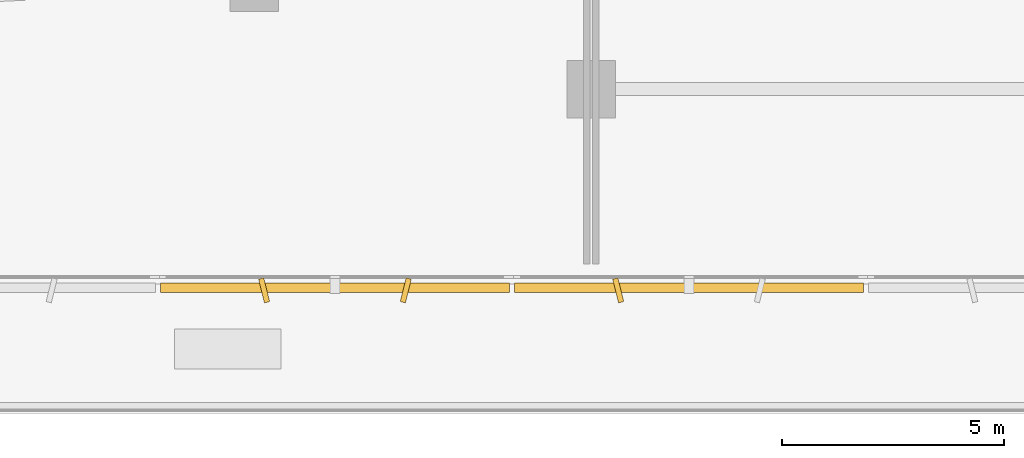
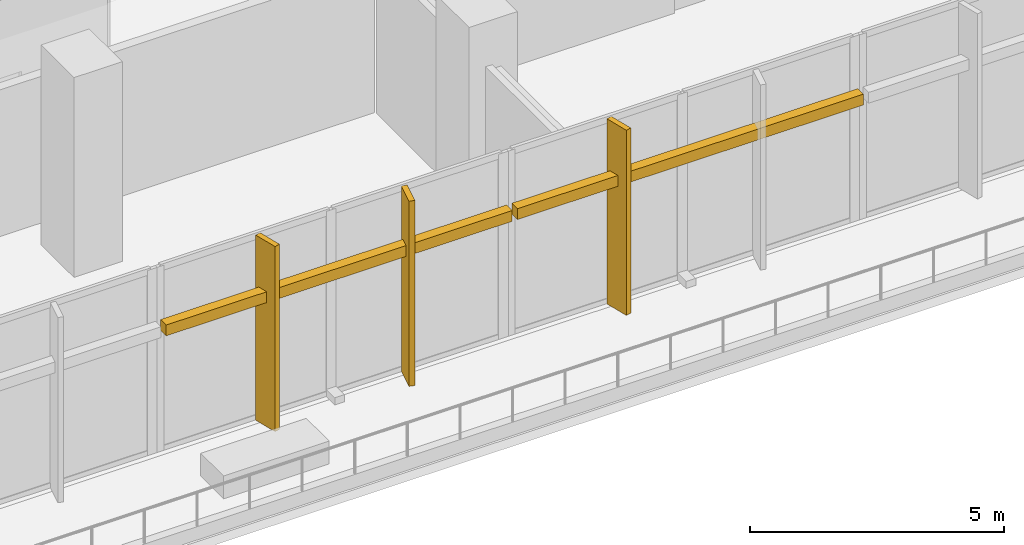
# One storey, part 21 of 30: 5 shading devices.
"""IFC4 building model written with IfcOpenShell, lengths in metres."""

import ifcopenshell
import ifcopenshell.guid

model = None  # the IFC model being written
_history = None  # IfcOwnerHistory: only IFC2X3 demands one
_inside = {}  # id of a spatial element -> (the spatial element, [elements in it])
_under = {}  # id of a project, library or spatial element -> (it, [spatial elements below it])
_declared = {}  # id of a project -> (the project, [libraries it declares])
_typed = {}  # id of a type object -> (the type object, [elements of that type])
_made_of = {}  # id of a material, layer set ... -> (it, [elements and type objects made of it])


def new_model(schema):
    """Start an empty IFC model of exactly this schema.

    Asked for "IFC4X3", IfcOpenShell would pick the latest addendum, in which some entities
    have other attributes; the version numbers below select the first issue.
    IFC2X3 requires an IfcOwnerHistory on every rooted entity: one is made here for all.
    """
    global model, _history
    if schema == "IFC4X3":
        model = ifcopenshell.file(schema_version=(4, 3, 0, 0))
    else:
        model = ifcopenshell.file(schema=schema)
    _inside.clear()
    _under.clear()
    _declared.clear()
    _typed.clear()
    _made_of.clear()
    _history = None
    if model.schema == "IFC2X3":
        org = make("IfcOrganization", Name="unknown")
        user = make(
            "IfcPersonAndOrganization",
            ThePerson=make("IfcPerson", FamilyName="unknown"),
            TheOrganization=org,
        )
        app = make(
            "IfcApplication",
            ApplicationDeveloper=org,
            Version="unknown",
            ApplicationFullName="unknown",
            ApplicationIdentifier="unknown",
        )
        _history = make(
            "IfcOwnerHistory",
            OwningUser=user,
            OwningApplication=app,
            ChangeAction="ADDED",
            CreationDate=0,
        )
    return model


def make(cls, **values):
    """One entity of the class cls with the attributes given. An attribute that is None is left unset."""
    return model.create_entity(
        cls, **{name: value for name, value in values.items() if value is not None}
    )


def rooted(cls, **values):
    """An entity with a GlobalId (a new one), such as an element, a storey or a relation."""
    return make(cls, GlobalId=ifcopenshell.guid.new(), OwnerHistory=_history, **values)


def si_unit(unit_type, name, prefix=None):
    """IfcSIUnit, for example si_unit("LENGTHUNIT", "METRE", prefix="MILLI")."""
    return make("IfcSIUnit", UnitType=unit_type, Prefix=prefix, Name=name)


def derived_unit(unit_type, elements):
    """IfcDerivedUnit: a product of units, each with its exponent."""
    return make(
        "IfcDerivedUnit",
        Elements=[
            make("IfcDerivedUnitElement", Unit=unit, Exponent=power)
            for unit, power in elements
        ],
        UnitType=unit_type,
    )


def assignment(units):
    """IfcUnitAssignment: the units of a project."""
    return None if units is None else make("IfcUnitAssignment", Units=units)


def point(xyz):
    """IfcCartesianPoint."""
    return None if xyz is None else make("IfcCartesianPoint", Coordinates=xyz)


def direction(xyz):
    """IfcDirection."""
    return None if xyz is None else make("IfcDirection", DirectionRatios=xyz)


def frame(location, z_axis=None, x_axis=None):
    """IfcAxis2Placement3D, a coordinate frame: its origin and axes. An axis left out is left unset."""
    return make(
        "IfcAxis2Placement3D",
        Location=point(location),
        Axis=direction(z_axis),
        RefDirection=direction(x_axis),
    )


def frame_2d(location, x_axis=None):
    """IfcAxis2Placement2D, a coordinate frame in the plane: its origin and x axis."""
    return make(
        "IfcAxis2Placement2D", Location=point(location), RefDirection=direction(x_axis)
    )


def origin():
    """The frame at (0, 0, 0) with its axes left unset."""
    return frame((0.0, 0.0, 0.0))


def origin_2d():
    """The frame at (0, 0) in the plane with its x axis left unset."""
    return frame_2d((0.0, 0.0))


def place(relative_to, where):
    """IfcLocalPlacement: puts the frame where relative to a parent placement (None: the world)."""
    return make(
        "IfcLocalPlacement", PlacementRelTo=relative_to, RelativePlacement=where
    )


def context(
    kind, dimensions, precision=None, world=None, true_north=None, identifier=None
):
    """IfcGeometricRepresentationContext, for example the 3D "Model" context."""
    return make(
        "IfcGeometricRepresentationContext",
        ContextIdentifier=identifier,
        ContextType=kind,
        CoordinateSpaceDimension=dimensions,
        Precision=precision,
        WorldCoordinateSystem=world,
        TrueNorth=true_north,
    )


def subcontext(parent, identifier, kind, view, scale=None):
    """IfcGeometricRepresentationSubContext, for example "Body" below "Model"."""
    return make(
        "IfcGeometricRepresentationSubContext",
        ContextIdentifier=identifier,
        ContextType=kind,
        ParentContext=parent,
        TargetScale=scale,
        TargetView=view,
    )


def project(units=None, contexts=None):
    """IfcProject with its units and contexts."""
    return rooted(
        "IfcProject",
        Name="project",
        RepresentationContexts=contexts,
        UnitsInContext=assignment(units),
    )


def spatial(cls, under=None, at=None, **own):
    """A site, building, storey or space (cls), placed at a placement, below another one or the project."""
    s = rooted(cls, ObjectPlacement=at, **own)
    if under is not None:
        _under.setdefault(under.id(), (under, []))[1].append(s)
    return s


def profile(cls, at=None, kind="AREA", **sizes):
    """A parametric profile (cls). Its sizes go by their IFC names, for example OverallWidth=200.0."""
    return make(cls, ProfileType=kind, Position=at, **sizes)


def rectangle(**sizes):
    """IfcRectangleProfileDef."""
    return profile("IfcRectangleProfileDef", **sizes)


def extrude(swept, where, along, depth):
    """IfcExtrudedAreaSolid: the profile swept, set in the frame where, extruded along a direction by depth."""
    return make(
        "IfcExtrudedAreaSolid",
        SweptArea=swept,
        Position=where,
        ExtrudedDirection=direction(along),
        Depth=depth,
    )


def shape(context_of_items, identifier, shape_type, items):
    """IfcShapeRepresentation: the items that make up one representation, for example the "Body"."""
    return make(
        "IfcShapeRepresentation",
        ContextOfItems=context_of_items,
        RepresentationIdentifier=identifier,
        RepresentationType=shape_type,
        Items=items,
    )


def material(Name=None, Category=None):
    """IfcMaterial."""
    return make("IfcMaterial", Name=Name, Category=Category)


def made_of(thing, what):
    """Note that an element or type object is made of a material, layer set ...; save() writes the relation."""
    if what is not None:
        _made_of.setdefault(what.id(), (what, []))[1].append(thing)
    return thing


def type_object(cls, material=None, **own):
    """A type object (cls), such as IfcWallType, which elements share."""
    return made_of(rooted(cls, **own), material)


def element(
    cls,
    number,
    at=None,
    inside=None,
    cuts=None,
    type_object=None,
    material=None,
    context=None,
    identifier="Body",
    shape_type=None,
    held_by="IfcProductDefinitionShape",
    body=None,
    shapes=None,
    **own,
):
    """One element of the class cls, such as IfcWall. Its Tag is "e" and its number.

    at: its placement. inside: the storey or other place that contains it. cuts: it is an
    opening in that element (IfcRelVoidsElement). A single representation is given by context,
    identifier, shape_type and body (its items); several are given by shapes. held_by: the class
    of the entity that holds the representations. save() writes the other relations.
    """
    e = rooted(cls, Tag="e%d" % number, ObjectPlacement=at, **own)
    if body is not None:
        shapes = [shape(context, identifier, shape_type, body)]
    if shapes is not None:
        e.Representation = make(held_by, Representations=shapes)
    if inside is not None:
        _inside.setdefault(inside.id(), (inside, []))[1].append(e)
    if cuts is not None:
        rooted(
            "IfcRelVoidsElement", RelatingBuildingElement=cuts, RelatedOpeningElement=e
        )
    if type_object is not None:
        _typed.setdefault(type_object.id(), (type_object, []))[1].append(e)
    return made_of(e, material)


def aggregate(whole, parts):
    """IfcRelAggregates: a whole, such as a stair, and the parts it consists of."""
    return rooted("IfcRelAggregates", RelatingObject=whole, RelatedObjects=parts)


def save(model, path):
    """Write the relations noted so far, then the file.

    IfcRelAggregates (storeys below a building ...), IfcRelContainedInSpatialStructure (elements
    in a storey), IfcRelDefinesByType, IfcRelAssociatesMaterial and IfcRelDeclares: one each for
    every whole, place, type object, material and project.
    """
    for whole, parts in _under.values():
        aggregate(whole, parts)
    for where, things in _inside.values():
        rooted(
            "IfcRelContainedInSpatialStructure",
            RelatedElements=things,
            RelatingStructure=where,
        )
    for kind, things in _typed.values():
        rooted("IfcRelDefinesByType", RelatedObjects=things, RelatingType=kind)
    for what, things in _made_of.values():
        rooted("IfcRelAssociatesMaterial", RelatedObjects=things, RelatingMaterial=what)
    for by, libraries in _declared.values():
        rooted("IfcRelDeclares", RelatingContext=by, RelatedDefinitions=libraries)
    model.write(path)


model = new_model("IFC4")

# Units and contexts
model_context = context("Model", 3, precision=1e-05, world=origin(), true_north=direction((0.0, 1.0)))
body_context = subcontext(model_context, "Body", "Model", "MODEL_VIEW")
ifc_project = project(units=[si_unit("LENGTHUNIT", "METRE"), si_unit("AREAUNIT", "SQUARE_METRE"), si_unit("VOLUMEUNIT", "CUBIC_METRE"), si_unit("PLANEANGLEUNIT", "RADIAN"), si_unit("MASSUNIT", "GRAM", prefix="KILO"), derived_unit("THERMALTRANSMITTANCEUNIT", [(si_unit("POWERUNIT", "WATT"), 1), (si_unit("LENGTHUNIT", "METRE"), -2), (si_unit("THERMODYNAMICTEMPERATUREUNIT", "KELVIN"), -1)])], contexts=[model_context])

# Site, building, storey
site_placement = place(None, origin())
site = spatial("IfcSite", under=ifc_project, at=site_placement, CompositionType="ELEMENT")
building_placement = place(site_placement, origin())
building = spatial("IfcBuilding", under=site, at=building_placement, Name="Kivonza Crest Hotel", CompositionType="ELEMENT")
storey_placement = place(building_placement, frame((0.0, 0.0, 10.199951171875)))
storey = spatial("IfcBuildingStorey", under=building, at=storey_placement, Name="L02", CompositionType="ELEMENT", Elevation=10.199951171875)

# Shading devices
ifc_material_1 = material(Name="Kiln-fired Nairobi red-ochre terracotta", Category="masonry")
shading_device_type_1 = type_object("IfcShadingDeviceType", Name="SH-BAGUETTE-300", PredefinedType="USERDEFINED", material=ifc_material_1)
shading_device_1_placement = place(storey_placement, frame((36.02001953125, 2.919921875, 2.98486328125), z_axis=(0.0, 0.0, 1.0), x_axis=(1.0, 0.0, 0.0)))
element("IfcShadingDevice", 1, at=shading_device_1_placement, inside=storey, type_object=shading_device_type_1, Name="L02 terracotta baguette screen CW-POD-L02-05", ObjectType="BAGUETTE", PredefinedType="USERDEFINED", context=body_context, shape_type="SweptSolid", body=[
    extrude(rectangle(XDim=7.865966796875, YDim=0.219970703125, at=origin_2d()), origin(), (0.0, 0.0, 1.0), 0.260009765625),
])
shading_device_2_placement = place(storey_placement, frame((44.007080078125, 2.919921875, 2.98486328125), z_axis=(0.0, 0.0, 1.0), x_axis=(1.0, 0.0, 0.0)))
element("IfcShadingDevice", 2, at=shading_device_2_placement, inside=storey, type_object=shading_device_type_1, Name="L02 terracotta baguette screen CW-POD-L02-06", ObjectType="BAGUETTE", PredefinedType="USERDEFINED", context=body_context, shape_type="SweptSolid", body=[
    extrude(rectangle(XDim=7.866943359375, YDim=0.219970703125, at=origin_2d()), origin(), (0.0, 0.0, 1.0), 0.260009765625),
])
ifc_material_2 = material(Name="Kiln-fired terracotta over extruded aluminium spine", Category="masonry")
shading_device_type_2 = type_object("IfcShadingDeviceType", Name="SH-FIN-550", PredefinedType="USERDEFINED", material=ifc_material_2)
for number, where, z_axis, x_axis, name in (
    (3, (34.423095703125, 2.860107421875, 0.0), (0.0, 0.0, 1.0), (0.970295726276, 0.2419218956, 0.0), "L02 vertical solar shading fin CW-POD-L02-05-1"),
    (4, (37.616943359375, 2.860107421875, 0.0), (0.0, 0.0, 1.0), (0.970295726276, -0.2419218956, 0.0), "L02 vertical solar shading fin CW-POD-L02-05-2"),
    (5, (42.408935546875, 2.860107421875, 0.0), (0.0, 0.0, 1.0), (0.970295726276, 0.2419218956, 0.0), "L02 vertical solar shading fin CW-POD-L02-06-1"),
):
    element("IfcShadingDevice", number, at=place(storey_placement, frame(where, z_axis=z_axis, x_axis=x_axis)), inside=storey, type_object=shading_device_type_2, Name=name, ObjectType="FIN", PredefinedType="USERDEFINED", context=body_context, shape_type="SweptSolid", body=[
        extrude(rectangle(XDim=0.1201171875, YDim=0.550048828125, at=origin_2d()), origin(), (0.0, 0.0, 1.0), 4.449951171875),
    ])

save(model, "model.ifc")
